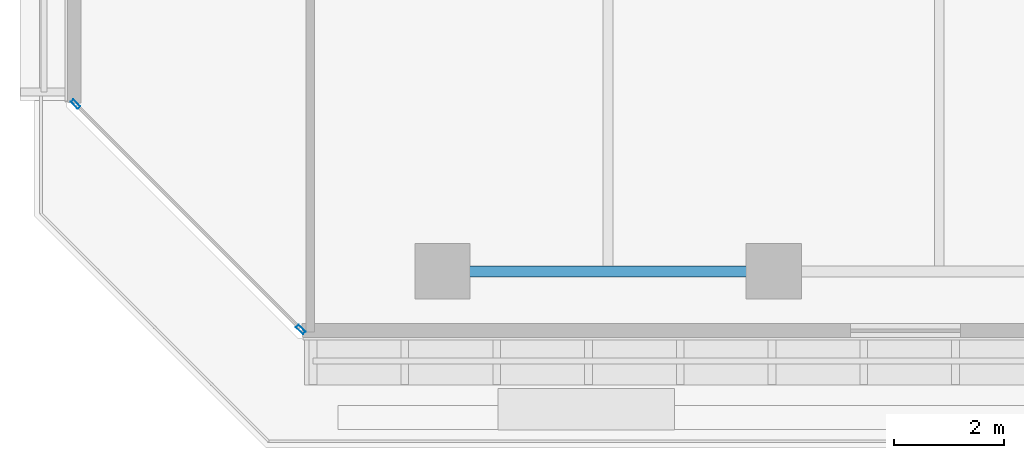
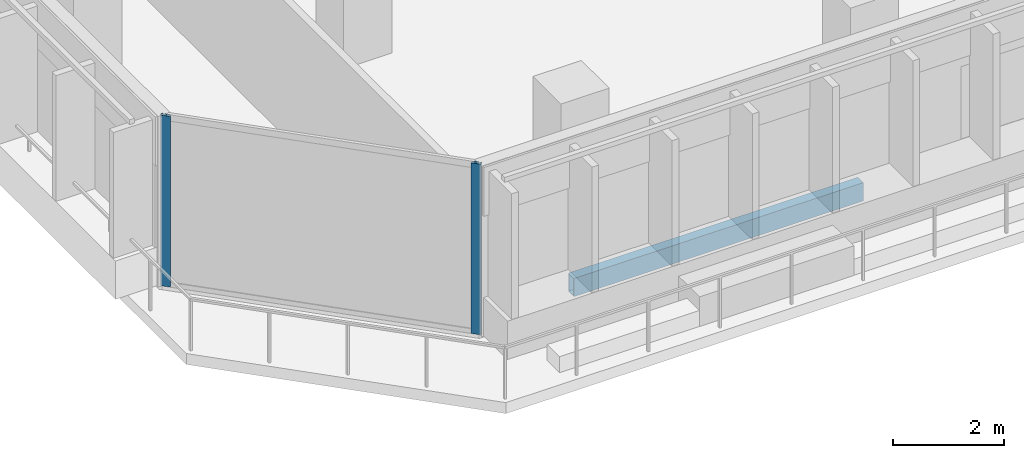
# One storey, part 2 of 38: 2 members, 1 beam, 1 element without a shape of its own.
"""IFC4 building model written with IfcOpenShell, lengths in metres."""

import ifcopenshell
import ifcopenshell.guid

model = None  # the IFC model being written
_history = None  # IfcOwnerHistory: only IFC2X3 demands one
_inside = {}  # id of a spatial element -> (the spatial element, [elements in it])
_under = {}  # id of a project, library or spatial element -> (it, [spatial elements below it])
_declared = {}  # id of a project -> (the project, [libraries it declares])
_typed = {}  # id of a type object -> (the type object, [elements of that type])
_made_of = {}  # id of a material, layer set ... -> (it, [elements and type objects made of it])


def new_model(schema):
    """Start an empty IFC model of exactly this schema.

    Asked for "IFC4X3", IfcOpenShell would pick the latest addendum, in which some entities
    have other attributes; the version numbers below select the first issue.
    IFC2X3 requires an IfcOwnerHistory on every rooted entity: one is made here for all.
    """
    global model, _history
    if schema == "IFC4X3":
        model = ifcopenshell.file(schema_version=(4, 3, 0, 0))
    else:
        model = ifcopenshell.file(schema=schema)
    _inside.clear()
    _under.clear()
    _declared.clear()
    _typed.clear()
    _made_of.clear()
    _history = None
    if model.schema == "IFC2X3":
        org = make("IfcOrganization", Name="unknown")
        user = make(
            "IfcPersonAndOrganization",
            ThePerson=make("IfcPerson", FamilyName="unknown"),
            TheOrganization=org,
        )
        app = make(
            "IfcApplication",
            ApplicationDeveloper=org,
            Version="unknown",
            ApplicationFullName="unknown",
            ApplicationIdentifier="unknown",
        )
        _history = make(
            "IfcOwnerHistory",
            OwningUser=user,
            OwningApplication=app,
            ChangeAction="ADDED",
            CreationDate=0,
        )
    return model


def make(cls, **values):
    """One entity of the class cls with the attributes given. An attribute that is None is left unset."""
    return model.create_entity(
        cls, **{name: value for name, value in values.items() if value is not None}
    )


def rooted(cls, **values):
    """An entity with a GlobalId (a new one), such as an element, a storey or a relation."""
    return make(cls, GlobalId=ifcopenshell.guid.new(), OwnerHistory=_history, **values)


def si_unit(unit_type, name, prefix=None):
    """IfcSIUnit, for example si_unit("LENGTHUNIT", "METRE", prefix="MILLI")."""
    return make("IfcSIUnit", UnitType=unit_type, Prefix=prefix, Name=name)


def assignment(units):
    """IfcUnitAssignment: the units of a project."""
    return None if units is None else make("IfcUnitAssignment", Units=units)


def point(xyz):
    """IfcCartesianPoint."""
    return None if xyz is None else make("IfcCartesianPoint", Coordinates=xyz)


def direction(xyz):
    """IfcDirection."""
    return None if xyz is None else make("IfcDirection", DirectionRatios=xyz)


def frame(location, z_axis=None, x_axis=None):
    """IfcAxis2Placement3D, a coordinate frame: its origin and axes. An axis left out is left unset."""
    return make(
        "IfcAxis2Placement3D",
        Location=point(location),
        Axis=direction(z_axis),
        RefDirection=direction(x_axis),
    )


def frame_2d(location, x_axis=None):
    """IfcAxis2Placement2D, a coordinate frame in the plane: its origin and x axis."""
    return make(
        "IfcAxis2Placement2D", Location=point(location), RefDirection=direction(x_axis)
    )


def origin():
    """The frame at (0, 0, 0) with its axes left unset."""
    return frame((0.0, 0.0, 0.0))


def origin_2d():
    """The frame at (0, 0) in the plane with its x axis left unset."""
    return frame_2d((0.0, 0.0))


def place(relative_to, where):
    """IfcLocalPlacement: puts the frame where relative to a parent placement (None: the world)."""
    return make(
        "IfcLocalPlacement", PlacementRelTo=relative_to, RelativePlacement=where
    )


def context(
    kind, dimensions, precision=None, world=None, true_north=None, identifier=None
):
    """IfcGeometricRepresentationContext, for example the 3D "Model" context."""
    return make(
        "IfcGeometricRepresentationContext",
        ContextIdentifier=identifier,
        ContextType=kind,
        CoordinateSpaceDimension=dimensions,
        Precision=precision,
        WorldCoordinateSystem=world,
        TrueNorth=true_north,
    )


def subcontext(parent, identifier, kind, view, scale=None):
    """IfcGeometricRepresentationSubContext, for example "Body" below "Model"."""
    return make(
        "IfcGeometricRepresentationSubContext",
        ContextIdentifier=identifier,
        ContextType=kind,
        ParentContext=parent,
        TargetScale=scale,
        TargetView=view,
    )


def project(units=None, contexts=None):
    """IfcProject with its units and contexts."""
    return rooted(
        "IfcProject",
        Name="project",
        RepresentationContexts=contexts,
        UnitsInContext=assignment(units),
    )


def spatial(cls, under=None, at=None, **own):
    """A site, building, storey or space (cls), placed at a placement, below another one or the project."""
    s = rooted(cls, ObjectPlacement=at, **own)
    if under is not None:
        _under.setdefault(under.id(), (under, []))[1].append(s)
    return s


def profile(cls, at=None, kind="AREA", **sizes):
    """A parametric profile (cls). Its sizes go by their IFC names, for example OverallWidth=200.0."""
    return make(cls, ProfileType=kind, Position=at, **sizes)


def hollow_rectangle(**sizes):
    """IfcRectangleHollowProfileDef."""
    return profile("IfcRectangleHollowProfileDef", **sizes)


def extrude(swept, where, along, depth):
    """IfcExtrudedAreaSolid: the profile swept, set in the frame where, extruded along a direction by depth."""
    return make(
        "IfcExtrudedAreaSolid",
        SweptArea=swept,
        Position=where,
        ExtrudedDirection=direction(along),
        Depth=depth,
    )


def shape(context_of_items, identifier, shape_type, items):
    """IfcShapeRepresentation: the items that make up one representation, for example the "Body"."""
    return make(
        "IfcShapeRepresentation",
        ContextOfItems=context_of_items,
        RepresentationIdentifier=identifier,
        RepresentationType=shape_type,
        Items=items,
    )


def material(Name=None, Category=None):
    """IfcMaterial."""
    return make("IfcMaterial", Name=Name, Category=Category)


def layer(
    of_material, thickness, ventilated=None, Name=None, Category=None, Priority=None
):
    """IfcMaterialLayer: one layer of a wall or slab, of a material (None: an air gap)."""
    return make(
        "IfcMaterialLayer",
        Material=of_material,
        LayerThickness=thickness,
        IsVentilated=ventilated,
        Name=Name,
        Category=Category,
        Priority=Priority,
    )


def layer_set(layers, Name=None):
    """IfcMaterialLayerSet."""
    return make("IfcMaterialLayerSet", MaterialLayers=layers, LayerSetName=Name)


def material_profile(
    of_material, cross_section, Name=None, Category=None, Priority=None
):
    """IfcMaterialProfile: a cross section and its material."""
    return make(
        "IfcMaterialProfile",
        Name=Name,
        Material=of_material,
        Profile=cross_section,
        Priority=Priority,
        Category=Category,
    )


def profile_set(profiles, Name=None, composite=None):
    """IfcMaterialProfileSet."""
    return make(
        "IfcMaterialProfileSet",
        Name=Name,
        MaterialProfiles=profiles,
        CompositeProfile=composite,
    )


def made_of(thing, what):
    """Note that an element or type object is made of a material, layer set ...; save() writes the relation."""
    if what is not None:
        _made_of.setdefault(what.id(), (what, []))[1].append(thing)
    return thing


def type_object(cls, material=None, **own):
    """A type object (cls), such as IfcWallType, which elements share."""
    return made_of(rooted(cls, **own), material)


def element(
    cls,
    number,
    at=None,
    inside=None,
    cuts=None,
    type_object=None,
    material=None,
    context=None,
    identifier="Body",
    shape_type=None,
    held_by="IfcProductDefinitionShape",
    body=None,
    shapes=None,
    **own,
):
    """One element of the class cls, such as IfcWall. Its Tag is "e" and its number.

    at: its placement. inside: the storey or other place that contains it. cuts: it is an
    opening in that element (IfcRelVoidsElement). A single representation is given by context,
    identifier, shape_type and body (its items); several are given by shapes. held_by: the class
    of the entity that holds the representations. save() writes the other relations.
    """
    e = rooted(cls, Tag="e%d" % number, ObjectPlacement=at, **own)
    if body is not None:
        shapes = [shape(context, identifier, shape_type, body)]
    if shapes is not None:
        e.Representation = make(held_by, Representations=shapes)
    if inside is not None:
        _inside.setdefault(inside.id(), (inside, []))[1].append(e)
    if cuts is not None:
        rooted(
            "IfcRelVoidsElement", RelatingBuildingElement=cuts, RelatedOpeningElement=e
        )
    if type_object is not None:
        _typed.setdefault(type_object.id(), (type_object, []))[1].append(e)
    return made_of(e, material)


def aggregate(whole, parts):
    """IfcRelAggregates: a whole, such as a stair, and the parts it consists of."""
    return rooted("IfcRelAggregates", RelatingObject=whole, RelatedObjects=parts)


def save(model, path):
    """Write the relations noted so far, then the file.

    IfcRelAggregates (storeys below a building ...), IfcRelContainedInSpatialStructure (elements
    in a storey), IfcRelDefinesByType, IfcRelAssociatesMaterial and IfcRelDeclares: one each for
    every whole, place, type object, material and project.
    """
    for whole, parts in _under.values():
        aggregate(whole, parts)
    for where, things in _inside.values():
        rooted(
            "IfcRelContainedInSpatialStructure",
            RelatedElements=things,
            RelatingStructure=where,
        )
    for kind, things in _typed.values():
        rooted("IfcRelDefinesByType", RelatedObjects=things, RelatingType=kind)
    for what, things in _made_of.values():
        rooted("IfcRelAssociatesMaterial", RelatedObjects=things, RelatingMaterial=what)
    for by, libraries in _declared.values():
        rooted("IfcRelDeclares", RelatingContext=by, RelatedDefinitions=libraries)
    model.write(path)


model = new_model("IFC4")

# Units and contexts
model_context = context("Model", 3, precision=1e-05, world=origin(), true_north=direction((0.0, 1.0)))
body_context = subcontext(model_context, "Body", "Model", "MODEL_VIEW")
ifc_project = project(units=[si_unit("LENGTHUNIT", "METRE"), si_unit("AREAUNIT", "SQUARE_METRE"), si_unit("VOLUMEUNIT", "CUBIC_METRE"), si_unit("PLANEANGLEUNIT", "RADIAN"), si_unit("MASSUNIT", "GRAM", prefix="KILO")], contexts=[model_context])

# Site, building, storey
site_placement = place(None, origin())
site = spatial("IfcSite", under=ifc_project, at=site_placement, CompositionType="ELEMENT")
building_placement = place(site_placement, origin())
building = spatial("IfcBuilding", under=site, at=building_placement, Name="Tanjung Sevakor Pilgrim Tower", CompositionType="ELEMENT")
storey_placement = place(building_placement, frame((0.0, 0.0, 78.2099609375)))
storey = spatial("IfcBuildingStorey", under=building, at=storey_placement, Name="L21", CompositionType="ELEMENT", Elevation=78.2099609375)

# Beam
ifc_material_1 = material(Name="Steel S355J2", Category="steel")
ifc_material_profile_1 = material_profile(ifc_material_1, hollow_rectangle(XDim=0.199951171875, YDim=0.39990234375, WallThickness=0.01611328125, at=origin_2d()))
ifc_profile_set_1 = profile_set([ifc_material_profile_1], Name="Steel S355J2")
beam_type = type_object("IfcBeamType", Name="BM-B-SP2-RHS_400x200x16", PredefinedType="SPANDREL", material=ifc_profile_set_1)
beam_placement = place(storey_placement, frame((24.0, 10.800048828125, -0.47998046875), z_axis=(1.0, 0.0, 0.0), x_axis=(0.0, 1.0, 0.0)))
element("IfcBeam", 1, at=beam_placement, inside=storey, type_object=beam_type, Name="L21 Spandrel MAIN S-01", PredefinedType="SPANDREL", context=body_context, shape_type="SweptSolid", body=[
    extrude(hollow_rectangle(XDim=0.199951171875, YDim=0.39990234375, WallThickness=0.01611328125, at=origin_2d()), origin(), (0.0, 0.0, 1.0), 6.0),
])

# Curtain wall, members
ifc_material_2 = material(Name="Aluminium 6063-T6 and Low-E Glass", Category="aluminium")
ifc_layer = layer(ifc_material_2, 0.179931640625)
ifc_layer_set = layer_set([ifc_layer], Name="CW-SYS-CHAM")
curtain_wall_type = type_object("IfcCurtainWallType", Name="CW-SYS-CHAM", PredefinedType="NOTDEFINED", material=ifc_layer_set)
curtain_wall_placement = place(storey_placement, origin())
curtain_wall = element("IfcCurtainWall", 2, at=curtain_wall_placement, inside=storey, type_object=curtain_wall_type, Name="L21 Curtain Wall CW-CHM-L21-MAIN-15", PredefinedType="NOTDEFINED")
ifc_material_3 = material(Name="Aluminium 6063-T6", Category="aluminium")
ifc_material_profile_2 = material_profile(ifc_material_3, hollow_rectangle(XDim=0.06494140625, YDim=0.179931640625, WallThickness=0.00390625, at=origin_2d()))
ifc_profile_set_2 = profile_set([ifc_material_profile_2], Name="Aluminium 6063-T6")
member_type = type_object("IfcMemberType", Name="TYPE-CWM-1", PredefinedType="MULLION", material=ifc_profile_set_2)
member_1_placement = place(storey_placement, frame((17.347900390625, 13.828857421875, 0.0), z_axis=(0.0, 0.0, 1.0), x_axis=(0.707106781187, 0.707106781187, 0.0)))
member_1 = element("IfcMember", 3, at=member_1_placement, type_object=member_type, Name="CW-CHM mullion 1", PredefinedType="MULLION", context=body_context, shape_type="SweptSolid", body=[
    extrude(hollow_rectangle(XDim=0.06494140625, YDim=0.179931640625, WallThickness=0.00390625, at=origin_2d()), origin(), (0.0, 0.0, 1.0), 3.739990234375),
])
member_2_placement = place(storey_placement, frame((21.4287109375, 9.748046875, 0.0), z_axis=(0.0, 0.0, 1.0), x_axis=(0.707106781187, 0.707106781187, 0.0)))
member_2 = element("IfcMember", 4, at=member_2_placement, type_object=member_type, Name="CW-CHM mullion 2", PredefinedType="MULLION", context=body_context, shape_type="SweptSolid", body=[
    extrude(hollow_rectangle(XDim=0.06494140625, YDim=0.179931640625, WallThickness=0.00390625, at=origin_2d()), origin(), (0.0, 0.0, 1.0), 3.739990234375),
])
aggregate(curtain_wall, [member_1, member_2])

save(model, "model.ifc")
